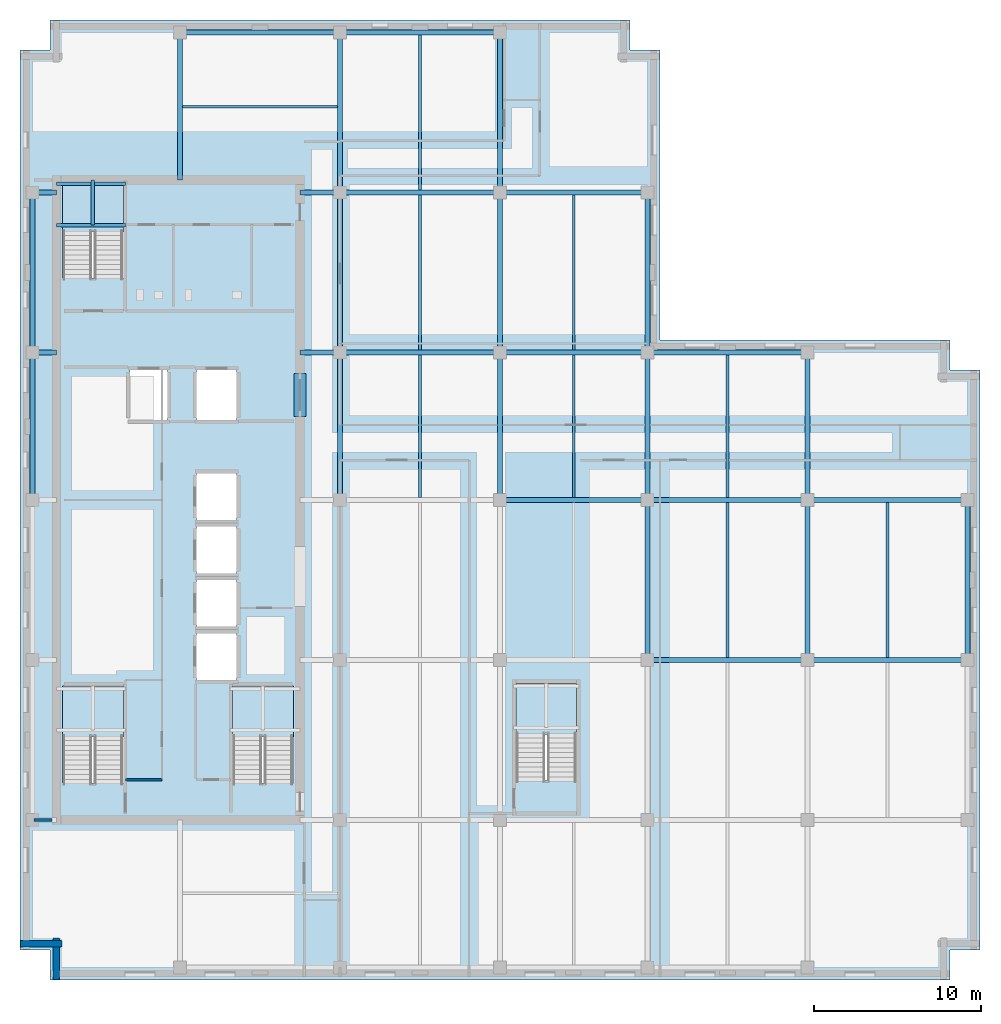
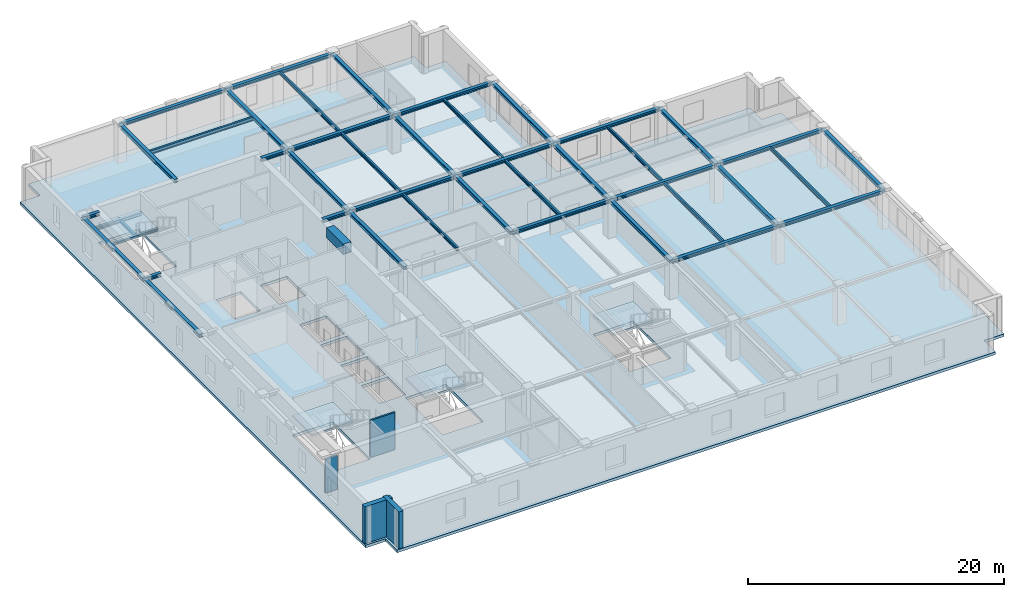
# One storey, part 2 of 12: 44 beams, 5 slabs, 4 walls, 4 elements without a shape of their own.
"""IFC4 building model written with IfcOpenShell, lengths in metres."""

from ifc_helpers import new_model, si_unit, direction, frame, frame_2d, origin, origin_2d, place, context, subcontext, project, spatial, polyline, rectangle, i_section, outline, extrude, material, layer, layer_set, material_profile, profile_set, type_object, element, aggregate, save


model = new_model("IFC4")

# Units and contexts
model_context = context("Model", 3, precision=1e-05, world=origin(), true_north=direction((0.0, 1.0)))
body_context = subcontext(model_context, "Body", "Model", "MODEL_VIEW")
ifc_project = project(units=[si_unit("LENGTHUNIT", "METRE"), si_unit("AREAUNIT", "SQUARE_METRE"), si_unit("VOLUMEUNIT", "CUBIC_METRE"), si_unit("PLANEANGLEUNIT", "RADIAN"), si_unit("MASSUNIT", "GRAM", prefix="KILO")], contexts=[model_context])

# Site, building, storey
site_placement = place(None, origin())
site = spatial("IfcSite", under=ifc_project, at=site_placement, CompositionType="ELEMENT")
building_placement = place(site_placement, origin())
building = spatial("IfcBuilding", under=site, at=building_placement, Name="Norrvale University Quadrangle", CompositionType="ELEMENT")
storey_placement = place(building_placement, frame((0.0, 0.0, 237.0)))
storey = spatial("IfcBuildingStorey", under=building, at=storey_placement, Name="L60", CompositionType="ELEMENT", Elevation=237.0)

# Beams
ifc_material_1 = material(Name="Steel 350W", Category="steel")
ifc_material_profile_1 = material_profile(ifc_material_1, i_section(OverallWidth=0.1669921875, OverallDepth=0.31689453125, WebThickness=0.007568359375, FlangeThickness=0.01318359375, FilletRadius=0.010009765625, at=origin_2d()), Name="Steel 350W")
ifc_profile_set_1 = profile_set([ifc_material_profile_1], Name="Steel 350W")
beam_type_1 = type_object("IfcBeamType", Name="Beam Canopy Purlin W310x52", PredefinedType="USERDEFINED", material=ifc_profile_set_1)
beam_1_placement = place(storey_placement, frame((24.0, 28.952392578125, 3.381591796875), z_axis=(0.0, 1.0, 0.0), x_axis=(-1.0, 0.0, 0.0)))
element("IfcBeam", 1, at=beam_1_placement, inside=storey, type_object=beam_type_1, Name="Beam Canopy Purlin W310x52 BM-L60-J064", ObjectType="PURLIN", PredefinedType="USERDEFINED", context=body_context, shape_type="SweptSolid", body=[
    extrude(i_section(OverallWidth=0.1669921875, OverallDepth=0.31689453125, WebThickness=0.007568359375, FlangeThickness=0.01318359375, FilletRadius=0.010009765625, at=origin_2d()), origin(), (0.0, 0.0, 1.0), 8.545166015625),
])
for number, where, z_axis, x_axis, name in (
    (2, (24.0, 37.802490234375, 3.381591796875), (0.0, 1.0, 0.0), (-1.0, 0.0, 0.0), "Beam Canopy Purlin W310x52 BM-L60-J065"),
    (3, (24.0, 47.402587890625, 3.381591796875), (0.0, 1.0, 0.0), (-1.0, 0.0, 0.0), "Beam Canopy Purlin W310x52 BM-L60-J066"),
):
    element("IfcBeam", number, at=place(storey_placement, frame(where, z_axis=z_axis, x_axis=x_axis)), inside=storey, type_object=beam_type_1, Name=name, ObjectType="PURLIN", PredefinedType="USERDEFINED", context=body_context, shape_type="SweptSolid", body=[
        extrude(i_section(OverallWidth=0.1669921875, OverallDepth=0.31689453125, WebThickness=0.007568359375, FlangeThickness=0.01318359375, FilletRadius=0.010009765625, at=origin_2d()), origin(), (0.0, 0.0, 1.0), 9.294921875),
    ])
beam_2_placement = place(storey_placement, frame((33.22509765625, 28.952392578125, 3.381591796875), z_axis=(0.0, 1.0, 0.0), x_axis=(-1.0, 0.0, 0.0)))
element("IfcBeam", 4, at=beam_2_placement, inside=storey, type_object=beam_type_1, Name="Beam Canopy Purlin W310x52 BM-L60-J069", ObjectType="PURLIN", PredefinedType="USERDEFINED", context=body_context, shape_type="SweptSolid", body=[
    extrude(i_section(OverallWidth=0.1669921875, OverallDepth=0.31689453125, WebThickness=0.007568359375, FlangeThickness=0.01318359375, FilletRadius=0.010009765625, at=origin_2d()), origin(), (0.0, 0.0, 1.0), 8.545166015625),
])
for number, where, z_axis, x_axis, name in (
    (5, (33.22509765625, 37.802490234375, 3.381591796875), (0.0, 1.0, 0.0), (-1.0, 0.0, 0.0), "Beam Canopy Purlin W310x52 BM-L60-J070"),
    (6, (42.449951171875, 19.3525390625, 3.381591796875), (0.0, 1.0, 0.0), (-1.0, 0.0, 0.0), "Beam Canopy Purlin W310x52 BM-L60-J073"),
):
    element("IfcBeam", number, at=place(storey_placement, frame(where, z_axis=z_axis, x_axis=x_axis)), inside=storey, type_object=beam_type_1, Name=name, ObjectType="PURLIN", PredefinedType="USERDEFINED", context=body_context, shape_type="SweptSolid", body=[
        extrude(i_section(OverallWidth=0.1669921875, OverallDepth=0.31689453125, WebThickness=0.007568359375, FlangeThickness=0.01318359375, FilletRadius=0.010009765625, at=origin_2d()), origin(), (0.0, 0.0, 1.0), 9.294921875),
    ])
beam_3_placement = place(storey_placement, frame((42.449951171875, 28.952392578125, 3.381591796875), z_axis=(0.0, 1.0, 0.0), x_axis=(-1.0, 0.0, 0.0)))
element("IfcBeam", 7, at=beam_3_placement, inside=storey, type_object=beam_type_1, Name="Beam Canopy Purlin W310x52 BM-L60-J074", ObjectType="PURLIN", PredefinedType="USERDEFINED", context=body_context, shape_type="SweptSolid", body=[
    extrude(i_section(OverallWidth=0.1669921875, OverallDepth=0.31689453125, WebThickness=0.007568359375, FlangeThickness=0.01318359375, FilletRadius=0.010009765625, at=origin_2d()), origin(), (0.0, 0.0, 1.0), 8.545166015625),
])
beam_4_placement = place(storey_placement, frame((52.050048828125, 19.3525390625, 3.381591796875), z_axis=(0.0, 1.0, 0.0), x_axis=(-1.0, 0.0, 0.0)))
element("IfcBeam", 8, at=beam_4_placement, inside=storey, type_object=beam_type_1, Name="Beam Canopy Purlin W310x52 BM-L60-J076", ObjectType="PURLIN", PredefinedType="USERDEFINED", context=body_context, shape_type="SweptSolid", body=[
    extrude(i_section(OverallWidth=0.1669921875, OverallDepth=0.31689453125, WebThickness=0.007568359375, FlangeThickness=0.01318359375, FilletRadius=0.010009765625, at=origin_2d()), origin(), (0.0, 0.0, 1.0), 9.294921875),
])
beam_5_placement = place(storey_placement, frame((9.75244140625, 52.39990234375, 3.381591796875), z_axis=(1.0, 0.0, 0.0), x_axis=(0.0, 1.0, 0.0)))
element("IfcBeam", 9, at=beam_5_placement, inside=storey, type_object=beam_type_1, Name="Beam Canopy Purlin W310x52 BM-L60-JCN080", ObjectType="PURLIN", PredefinedType="USERDEFINED", context=body_context, shape_type="SweptSolid", body=[
    extrude(i_section(OverallWidth=0.1669921875, OverallDepth=0.31689453125, WebThickness=0.007568359375, FlangeThickness=0.01318359375, FilletRadius=0.010009765625, at=origin_2d()), origin(), (0.0, 0.0, 1.0), 9.295166015625),
])
ifc_material_profile_2 = material_profile(ifc_material_1, i_section(OverallWidth=0.304931640625, OverallDepth=0.30810546875, WebThickness=0.010009765625, FlangeThickness=0.015380859375, FilletRadius=0.014892578125, at=origin_2d()), Name="Steel 350W")
ifc_profile_set_2 = profile_set([ifc_material_profile_2], Name="Steel 350W")
beam_type_2 = type_object("IfcBeamType", Name="Beam Canopy W310x97", PredefinedType="BEAM", material=ifc_profile_set_2)
for number, where, z_axis, x_axis, name in (
    (10, (37.64990234375, 19.199951171875, 3.385986328125), (1.0, 0.0, 0.0), (0.0, 1.0, 0.0), "Beam Canopy W310x97 BM-L60-GX011"),
    (11, (47.25, 19.199951171875, 3.385986328125), (1.0, 0.0, 0.0), (0.0, 1.0, 0.0), "Beam Canopy W310x97 BM-L60-GX012"),
):
    element("IfcBeam", number, at=place(storey_placement, frame(where, z_axis=z_axis, x_axis=x_axis)), inside=storey, type_object=beam_type_2, Name=name, PredefinedType="BEAM", context=body_context, shape_type="SweptSolid", body=[
        extrude(i_section(OverallWidth=0.304931640625, OverallDepth=0.30810546875, WebThickness=0.010009765625, FlangeThickness=0.015380859375, FilletRadius=0.014892578125, at=origin_2d()), origin(), (0.0, 0.0, 1.0), 9.60009765625),
    ])
beam_6_placement = place(storey_placement, frame((28.800048828125, 28.800048828125, 3.385986328125), z_axis=(1.0, 0.0, 0.0), x_axis=(0.0, 1.0, 0.0)))
element("IfcBeam", 12, at=beam_6_placement, inside=storey, type_object=beam_type_2, Name="Beam Canopy W310x97 BM-L60-GX014", PredefinedType="BEAM", context=body_context, shape_type="SweptSolid", body=[
    extrude(i_section(OverallWidth=0.304931640625, OverallDepth=0.30810546875, WebThickness=0.010009765625, FlangeThickness=0.015380859375, FilletRadius=0.014892578125, at=origin_2d()), origin(), (0.0, 0.0, 1.0), 8.849853515625),
])
for number, where, z_axis, x_axis, name in (
    (13, (37.64990234375, 28.800048828125, 3.385986328125), (1.0, 0.0, 0.0), (0.0, 1.0, 0.0), "Beam Canopy W310x97 BM-L60-GX015"),
    (14, (47.25, 28.800048828125, 3.385986328125), (1.0, 0.0, 0.0), (0.0, 1.0, 0.0), "Beam Canopy W310x97 BM-L60-GX016"),
    (15, (19.199951171875, 37.64990234375, 3.385986328125), (1.0, 0.0, 0.0), (0.0, 1.0, 0.0), "Beam Canopy W310x97 BM-L60-GX017"),
):
    element("IfcBeam", number, at=place(storey_placement, frame(where, z_axis=z_axis, x_axis=x_axis)), inside=storey, type_object=beam_type_2, Name=name, PredefinedType="BEAM", context=body_context, shape_type="SweptSolid", body=[
        extrude(i_section(OverallWidth=0.304931640625, OverallDepth=0.30810546875, WebThickness=0.010009765625, FlangeThickness=0.015380859375, FilletRadius=0.014892578125, at=origin_2d()), origin(), (0.0, 0.0, 1.0), 9.60009765625),
    ])
beam_7_placement = place(storey_placement, frame((28.800048828125, 37.64990234375, 3.385986328125), z_axis=(1.0, 0.0, 0.0), x_axis=(0.0, 1.0, 0.0)))
element("IfcBeam", 16, at=beam_7_placement, inside=storey, type_object=beam_type_2, Name="Beam Canopy W310x97 BM-L60-GX018", PredefinedType="BEAM", context=body_context, shape_type="SweptSolid", body=[
    extrude(i_section(OverallWidth=0.304931640625, OverallDepth=0.30810546875, WebThickness=0.010009765625, FlangeThickness=0.015380859375, FilletRadius=0.014892578125, at=origin_2d()), origin(), (0.0, 0.0, 1.0), 8.849853515625),
])
for number, where, z_axis, x_axis, name in (
    (17, (37.64990234375, 37.64990234375, 3.385986328125), (1.0, 0.0, 0.0), (0.0, 1.0, 0.0), "Beam Canopy W310x97 BM-L60-GX019"),
    (18, (19.199951171875, 47.25, 3.385986328125), (1.0, 0.0, 0.0), (0.0, 1.0, 0.0), "Beam Canopy W310x97 BM-L60-GX020"),
):
    element("IfcBeam", number, at=place(storey_placement, frame(where, z_axis=z_axis, x_axis=x_axis)), inside=storey, type_object=beam_type_2, Name=name, PredefinedType="BEAM", context=body_context, shape_type="SweptSolid", body=[
        extrude(i_section(OverallWidth=0.304931640625, OverallDepth=0.30810546875, WebThickness=0.010009765625, FlangeThickness=0.015380859375, FilletRadius=0.014892578125, at=origin_2d()), origin(), (0.0, 0.0, 1.0), 9.60009765625),
    ])
beam_8_placement = place(storey_placement, frame((28.800048828125, 47.25, 3.385986328125), z_axis=(1.0, 0.0, 0.0), x_axis=(0.0, 1.0, 0.0)))
element("IfcBeam", 19, at=beam_8_placement, inside=storey, type_object=beam_type_2, Name="Beam Canopy W310x97 BM-L60-GX021", PredefinedType="BEAM", context=body_context, shape_type="SweptSolid", body=[
    extrude(i_section(OverallWidth=0.304931640625, OverallDepth=0.30810546875, WebThickness=0.010009765625, FlangeThickness=0.015380859375, FilletRadius=0.014892578125, at=origin_2d()), origin(), (0.0, 0.0, 1.0), 8.849853515625),
])
beam_9_placement = place(storey_placement, frame((9.60009765625, 56.85009765625, 3.385986328125), z_axis=(1.0, 0.0, 0.0), x_axis=(0.0, 1.0, 0.0)))
element("IfcBeam", 20, at=beam_9_placement, inside=storey, type_object=beam_type_2, Name="Beam Canopy W310x97 BM-L60-GX022", PredefinedType="BEAM", context=body_context, shape_type="SweptSolid", body=[
    extrude(i_section(OverallWidth=0.304931640625, OverallDepth=0.30810546875, WebThickness=0.010009765625, FlangeThickness=0.015380859375, FilletRadius=0.014892578125, at=origin_2d()), origin(), (0.0, 0.0, 1.0), 9.599853515625),
])
beam_10_placement = place(storey_placement, frame((19.199951171875, 56.85009765625, 3.385986328125), z_axis=(1.0, 0.0, 0.0), x_axis=(0.0, 1.0, 0.0)))
element("IfcBeam", 21, at=beam_10_placement, inside=storey, type_object=beam_type_2, Name="Beam Canopy W310x97 BM-L60-GX023", PredefinedType="BEAM", context=body_context, shape_type="SweptSolid", body=[
    extrude(i_section(OverallWidth=0.304931640625, OverallDepth=0.30810546875, WebThickness=0.010009765625, FlangeThickness=0.015380859375, FilletRadius=0.014892578125, at=origin_2d()), origin(), (0.0, 0.0, 1.0), 9.60009765625),
])
beam_11_placement = place(storey_placement, frame((0.75, 28.800048828125, 3.385986328125), z_axis=(0.0, 1.0, 0.0), x_axis=(-1.0, 0.0, 0.0)))
element("IfcBeam", 22, at=beam_11_placement, inside=storey, type_object=beam_type_2, Name="Beam Canopy W310x97 BM-L60-GY026", PredefinedType="BEAM", context=body_context, shape_type="SweptSolid", body=[
    extrude(i_section(OverallWidth=0.304931640625, OverallDepth=0.30810546875, WebThickness=0.010009765625, FlangeThickness=0.015380859375, FilletRadius=0.014892578125, at=origin_2d()), origin(), (0.0, 0.0, 1.0), 8.849853515625),
])
beam_12_placement = place(storey_placement, frame((0.75, 37.64990234375, 3.385986328125), z_axis=(0.0, 1.0, 0.0), x_axis=(-1.0, 0.0, 0.0)))
element("IfcBeam", 23, at=beam_12_placement, inside=storey, type_object=beam_type_2, Name="Beam Canopy W310x97 BM-L60-GY027", PredefinedType="BEAM", context=body_context, shape_type="SweptSolid", body=[
    extrude(i_section(OverallWidth=0.304931640625, OverallDepth=0.30810546875, WebThickness=0.010009765625, FlangeThickness=0.015380859375, FilletRadius=0.014892578125, at=origin_2d()), origin(), (0.0, 0.0, 1.0), 9.60009765625),
])
beam_13_placement = place(storey_placement, frame((19.199951171875, 28.800048828125, 3.385986328125), z_axis=(0.0, 1.0, 0.0), x_axis=(-1.0, 0.0, 0.0)))
element("IfcBeam", 24, at=beam_13_placement, inside=storey, type_object=beam_type_2, Name="Beam Canopy W310x97 BM-L60-GY031", PredefinedType="BEAM", context=body_context, shape_type="SweptSolid", body=[
    extrude(i_section(OverallWidth=0.304931640625, OverallDepth=0.30810546875, WebThickness=0.010009765625, FlangeThickness=0.015380859375, FilletRadius=0.014892578125, at=origin_2d()), origin(), (0.0, 0.0, 1.0), 8.849853515625),
])
for number, where, z_axis, x_axis, name in (
    (25, (19.199951171875, 37.64990234375, 3.385986328125), (0.0, 1.0, 0.0), (-1.0, 0.0, 0.0), "Beam Canopy W310x97 BM-L60-GY032"),
    (26, (19.199951171875, 47.25, 3.385986328125), (0.0, 1.0, 0.0), (-1.0, 0.0, 0.0), "Beam Canopy W310x97 BM-L60-GY033"),
):
    element("IfcBeam", number, at=place(storey_placement, frame(where, z_axis=z_axis, x_axis=x_axis)), inside=storey, type_object=beam_type_2, Name=name, PredefinedType="BEAM", context=body_context, shape_type="SweptSolid", body=[
        extrude(i_section(OverallWidth=0.304931640625, OverallDepth=0.30810546875, WebThickness=0.010009765625, FlangeThickness=0.015380859375, FilletRadius=0.014892578125, at=origin_2d()), origin(), (0.0, 0.0, 1.0), 9.60009765625),
    ])
beam_14_placement = place(storey_placement, frame((28.800048828125, 28.800048828125, 3.385986328125), z_axis=(0.0, 1.0, 0.0), x_axis=(-1.0, 0.0, 0.0)))
element("IfcBeam", 27, at=beam_14_placement, inside=storey, type_object=beam_type_2, Name="Beam Canopy W310x97 BM-L60-GY037", PredefinedType="BEAM", context=body_context, shape_type="SweptSolid", body=[
    extrude(i_section(OverallWidth=0.304931640625, OverallDepth=0.30810546875, WebThickness=0.010009765625, FlangeThickness=0.015380859375, FilletRadius=0.014892578125, at=origin_2d()), origin(), (0.0, 0.0, 1.0), 8.849853515625),
])
for number, where, z_axis, x_axis, name in (
    (28, (28.800048828125, 37.64990234375, 3.385986328125), (0.0, 1.0, 0.0), (-1.0, 0.0, 0.0), "Beam Canopy W310x97 BM-L60-GY038"),
    (29, (28.800048828125, 47.25, 3.385986328125), (0.0, 1.0, 0.0), (-1.0, 0.0, 0.0), "Beam Canopy W310x97 BM-L60-GY039"),
    (30, (37.64990234375, 19.199951171875, 3.385986328125), (0.0, 1.0, 0.0), (-1.0, 0.0, 0.0), "Beam Canopy W310x97 BM-L60-GY042"),
):
    element("IfcBeam", number, at=place(storey_placement, frame(where, z_axis=z_axis, x_axis=x_axis)), inside=storey, type_object=beam_type_2, Name=name, PredefinedType="BEAM", context=body_context, shape_type="SweptSolid", body=[
        extrude(i_section(OverallWidth=0.304931640625, OverallDepth=0.30810546875, WebThickness=0.010009765625, FlangeThickness=0.015380859375, FilletRadius=0.014892578125, at=origin_2d()), origin(), (0.0, 0.0, 1.0), 9.60009765625),
    ])
beam_15_placement = place(storey_placement, frame((37.64990234375, 28.800048828125, 3.385986328125), z_axis=(0.0, 1.0, 0.0), x_axis=(-1.0, 0.0, 0.0)))
element("IfcBeam", 31, at=beam_15_placement, inside=storey, type_object=beam_type_2, Name="Beam Canopy W310x97 BM-L60-GY043", PredefinedType="BEAM", context=body_context, shape_type="SweptSolid", body=[
    extrude(i_section(OverallWidth=0.304931640625, OverallDepth=0.30810546875, WebThickness=0.010009765625, FlangeThickness=0.015380859375, FilletRadius=0.014892578125, at=origin_2d()), origin(), (0.0, 0.0, 1.0), 8.849853515625),
])
for number, where, z_axis, x_axis, name in (
    (32, (37.64990234375, 37.64990234375, 3.385986328125), (0.0, 1.0, 0.0), (-1.0, 0.0, 0.0), "Beam Canopy W310x97 BM-L60-GY044"),
    (33, (47.25, 19.199951171875, 3.385986328125), (0.0, 1.0, 0.0), (-1.0, 0.0, 0.0), "Beam Canopy W310x97 BM-L60-GY047"),
):
    element("IfcBeam", number, at=place(storey_placement, frame(where, z_axis=z_axis, x_axis=x_axis)), inside=storey, type_object=beam_type_2, Name=name, PredefinedType="BEAM", context=body_context, shape_type="SweptSolid", body=[
        extrude(i_section(OverallWidth=0.304931640625, OverallDepth=0.30810546875, WebThickness=0.010009765625, FlangeThickness=0.015380859375, FilletRadius=0.014892578125, at=origin_2d()), origin(), (0.0, 0.0, 1.0), 9.60009765625),
    ])
beam_16_placement = place(storey_placement, frame((47.25, 28.800048828125, 3.385986328125), z_axis=(0.0, 1.0, 0.0), x_axis=(-1.0, 0.0, 0.0)))
element("IfcBeam", 34, at=beam_16_placement, inside=storey, type_object=beam_type_2, Name="Beam Canopy W310x97 BM-L60-GY048", PredefinedType="BEAM", context=body_context, shape_type="SweptSolid", body=[
    extrude(i_section(OverallWidth=0.304931640625, OverallDepth=0.30810546875, WebThickness=0.010009765625, FlangeThickness=0.015380859375, FilletRadius=0.014892578125, at=origin_2d()), origin(), (0.0, 0.0, 1.0), 8.849853515625),
])
beam_17_placement = place(storey_placement, frame((56.85009765625, 19.199951171875, 3.385986328125), z_axis=(0.0, 1.0, 0.0), x_axis=(-1.0, 0.0, 0.0)))
element("IfcBeam", 35, at=beam_17_placement, inside=storey, type_object=beam_type_2, Name="Beam Canopy W310x97 BM-L60-GY050", PredefinedType="BEAM", context=body_context, shape_type="SweptSolid", body=[
    extrude(i_section(OverallWidth=0.304931640625, OverallDepth=0.30810546875, WebThickness=0.010009765625, FlangeThickness=0.015380859375, FilletRadius=0.014892578125, at=origin_2d()), origin(), (0.0, 0.0, 1.0), 9.60009765625),
])
beam_18_placement = place(storey_placement, frame((0.75, 37.64990234375, 3.385986328125), z_axis=(1.0, 0.0, 0.0), x_axis=(0.0, 1.0, 0.0)))
element("IfcBeam", 36, at=beam_18_placement, inside=storey, type_object=beam_type_2, Name="Beam Canopy W310x97 BM-L60-GCW057", PredefinedType="BEAM", context=body_context, shape_type="SweptSolid", body=[
    extrude(i_section(OverallWidth=0.304931640625, OverallDepth=0.30810546875, WebThickness=0.010009765625, FlangeThickness=0.015380859375, FilletRadius=0.014892578125, at=origin_2d()), origin(), (0.0, 0.0, 1.0), 1.449951171875),
])
beam_19_placement = place(storey_placement, frame((16.800048828125, 37.64990234375, 3.385986328125), z_axis=(1.0, 0.0, 0.0), x_axis=(0.0, 1.0, 0.0)))
element("IfcBeam", 37, at=beam_19_placement, inside=storey, type_object=beam_type_2, Name="Beam Canopy W310x97 BM-L60-GCE058", PredefinedType="BEAM", context=body_context, shape_type="SweptSolid", body=[
    extrude(i_section(OverallWidth=0.304931640625, OverallDepth=0.30810546875, WebThickness=0.010009765625, FlangeThickness=0.015380859375, FilletRadius=0.014892578125, at=origin_2d()), origin(), (0.0, 0.0, 1.0), 2.39990234375),
])
beam_20_placement = place(storey_placement, frame((0.75, 47.25, 3.385986328125), z_axis=(1.0, 0.0, 0.0), x_axis=(0.0, 1.0, 0.0)))
element("IfcBeam", 38, at=beam_20_placement, inside=storey, type_object=beam_type_2, Name="Beam Canopy W310x97 BM-L60-GCW059", PredefinedType="BEAM", context=body_context, shape_type="SweptSolid", body=[
    extrude(i_section(OverallWidth=0.304931640625, OverallDepth=0.30810546875, WebThickness=0.010009765625, FlangeThickness=0.015380859375, FilletRadius=0.014892578125, at=origin_2d()), origin(), (0.0, 0.0, 1.0), 1.449951171875),
])
beam_21_placement = place(storey_placement, frame((16.800048828125, 47.25, 3.385986328125), z_axis=(1.0, 0.0, 0.0), x_axis=(0.0, 1.0, 0.0)))
element("IfcBeam", 39, at=beam_21_placement, inside=storey, type_object=beam_type_2, Name="Beam Canopy W310x97 BM-L60-GCE060", PredefinedType="BEAM", context=body_context, shape_type="SweptSolid", body=[
    extrude(i_section(OverallWidth=0.304931640625, OverallDepth=0.30810546875, WebThickness=0.010009765625, FlangeThickness=0.015380859375, FilletRadius=0.014892578125, at=origin_2d()), origin(), (0.0, 0.0, 1.0), 2.39990234375),
])
beam_22_placement = place(storey_placement, frame((9.60009765625, 48.0, 3.385986328125), z_axis=(0.0, 1.0, 0.0), x_axis=(-1.0, 0.0, 0.0)))
element("IfcBeam", 40, at=beam_22_placement, inside=storey, type_object=beam_type_2, Name="Beam Canopy W310x97 BM-L60-GCN079", PredefinedType="BEAM", context=body_context, shape_type="SweptSolid", body=[
    extrude(i_section(OverallWidth=0.304931640625, OverallDepth=0.30810546875, WebThickness=0.010009765625, FlangeThickness=0.015380859375, FilletRadius=0.014892578125, at=origin_2d()), origin(), (0.0, 0.0, 1.0), 8.85009765625),
])
ifc_material_2 = material(Name="Concrete C80/95", Category="concrete")
ifc_material_profile_3 = material_profile(ifc_material_2, rectangle(XDim=0.699951171875, YDim=0.949951171875, at=origin_2d()), Name="Concrete C80/95")
ifc_profile_set_3 = profile_set([ifc_material_profile_3], Name="Concrete C80/95")
beam_type_3 = type_object("IfcBeamType", Name="Beam Core Link 700x950", PredefinedType="LINTEL", material=ifc_profile_set_3)
beam_23_placement = place(storey_placement, frame((16.800048828125, 33.800048828125, 3.06494140625), z_axis=(0.0, 1.0, 0.0), x_axis=(-1.0, 0.0, 0.0)))
element("IfcBeam", 41, at=beam_23_placement, inside=storey, type_object=beam_type_3, Name="Core Coupling Lintel Beam L60-2", PredefinedType="LINTEL", context=body_context, shape_type="SweptSolid", body=[
    extrude(rectangle(XDim=0.699951171875, YDim=0.949951171875, at=origin_2d()), origin(), (0.0, 0.0, 1.0), 2.599853515625),
])
ifc_material_profile_4 = material_profile(ifc_material_1, i_section(OverallWidth=0.201904296875, OverallDepth=0.2470703125, WebThickness=0.00732421875, FlangeThickness=0.010986328125, FilletRadius=0.011962890625, at=origin_2d()), Name="Steel 350W")
ifc_profile_set_4 = profile_set([ifc_material_profile_4], Name="Steel 350W")
beam_type_4 = type_object("IfcBeamType", Name="Beam Stair W250x49", PredefinedType="BEAM", material=ifc_profile_set_4)
for number, where, z_axis, x_axis, name in (
    (42, (2.199951171875, 45.2900390625, 1.576416015625), (1.0, 0.0, 0.0), (0.0, 1.0, 0.0), "Stair Mid-Landing Front Beam ST-02 L60"),
    (43, (2.199951171875, 47.77001953125, 1.576416015625), (1.0, 0.0, 0.0), (0.0, 1.0, 0.0), "Stair Mid-Landing Rear Beam ST-02 L60"),
):
    element("IfcBeam", number, at=place(storey_placement, frame(where, z_axis=z_axis, x_axis=x_axis)), inside=storey, type_object=beam_type_4, Name=name, PredefinedType="BEAM", context=body_context, shape_type="SweptSolid", body=[
        extrude(i_section(OverallWidth=0.201904296875, OverallDepth=0.2470703125, WebThickness=0.00732421875, FlangeThickness=0.010986328125, FilletRadius=0.011962890625, at=origin_2d()), origin(), (0.0, 0.0, 1.0), 4.14013671875),
    ])
ifc_material_profile_5 = material_profile(ifc_material_1, i_section(OverallWidth=0.202880859375, OverallDepth=0.202880859375, WebThickness=0.007080078125, FlangeThickness=0.010986328125, FilletRadius=0.010009765625, at=origin_2d()), Name="Steel 350W")
ifc_profile_set_5 = profile_set([ifc_material_profile_5], Name="Steel 350W")
beam_type_5 = type_object("IfcBeamType", Name="Beam Trim W200x46", PredefinedType="BEAM", material=ifc_profile_set_5)
beam_24_placement = place(storey_placement, frame((4.375, 45.2900390625, 1.598388671875), z_axis=(0.0, 1.0, 0.0), x_axis=(-1.0, 0.0, 0.0)))
element("IfcBeam", 44, at=beam_24_placement, inside=storey, type_object=beam_type_5, Name="Stair Mid-Landing Cross Beam ST-02 L60", PredefinedType="BEAM", context=body_context, shape_type="SweptSolid", body=[
    extrude(i_section(OverallWidth=0.202880859375, OverallDepth=0.202880859375, WebThickness=0.007080078125, FlangeThickness=0.010986328125, FilletRadius=0.010009765625, at=origin_2d()), origin(), (0.0, 0.0, 1.0), 2.7099609375),
])

# Stair, slab
ifc_material_3 = material(Name="Concrete C40/50", Category="concrete")
stair_type = type_object("IfcStairType", Name="Stair Tower Typ 3800", PredefinedType="TWO_STRAIGHT_RUN_STAIR", material=ifc_material_3)
stair_1_placement = place(storey_placement, origin())
stair_1 = element("IfcStair", 45, at=stair_1_placement, inside=storey, type_object=stair_type, Name="Exit Stair ST-01 L60", PredefinedType="TWO_STRAIGHT_RUN_STAIR")
ifc_layer_1 = layer(ifc_material_3, 0.199951171875, Name="Concrete C40/50")
ifc_layer_set_1 = layer_set([ifc_layer_1], Name="Concrete C40/50")
slab_type_1 = type_object("IfcSlabType", Name="Slab Landing 200", PredefinedType="LANDING", material=ifc_layer_set_1)
slab_1_placement = place(storey_placement, frame((0.0, 0.0, 1.699951171875)))
slab_1 = element("IfcSlab", 46, at=slab_1_placement, type_object=slab_type_1, Name="Exit Stair ST-01 L60 Mid Landing", PredefinedType="LANDING", context=body_context, shape_type="SweptSolid", body=[
    extrude(outline(polyline([(2.550048828125, 14.590087890625), (6.199951171875, 14.590087890625), (6.199951171875, 17.64990234375), (2.550048828125, 17.64990234375), (2.550048828125, 14.590087890625)])), origin(), (0.0, 0.0, 1.0), 0.199951171875),
])
aggregate(stair_1, [slab_1])

stair_2_placement = place(storey_placement, origin())
stair_2 = element("IfcStair", 47, at=stair_2_placement, inside=storey, type_object=stair_type, Name="Exit Stair ST-02 L60", PredefinedType="TWO_STRAIGHT_RUN_STAIR")
slab_2_placement = place(storey_placement, frame((0.0, 0.0, 1.699951171875)))
slab_2 = element("IfcSlab", 48, at=slab_2_placement, type_object=slab_type_1, Name="Exit Stair ST-02 L60 Mid Landing", PredefinedType="LANDING", context=body_context, shape_type="SweptSolid", body=[
    extrude(outline(polyline([(2.550048828125, 44.889892578125), (6.199951171875, 44.889892578125), (6.199951171875, 47.949951171875), (2.550048828125, 47.949951171875), (2.550048828125, 44.889892578125)])), origin(), (0.0, 0.0, 1.0), 0.199951171875),
])
aggregate(stair_2, [slab_2])

stair_3_placement = place(storey_placement, origin())
stair_3 = element("IfcStair", 49, at=stair_3_placement, inside=storey, type_object=stair_type, Name="Exit Stair ST-03 L60", PredefinedType="TWO_STRAIGHT_RUN_STAIR")
slab_3_placement = place(storey_placement, frame((0.0, 0.0, 1.699951171875)))
slab_3 = element("IfcSlab", 50, at=slab_3_placement, type_object=slab_type_1, Name="Exit Stair ST-03 L60 Mid Landing", PredefinedType="LANDING", context=body_context, shape_type="SweptSolid", body=[
    extrude(outline(polyline([(12.75, 14.590087890625), (16.39990234375, 14.590087890625), (16.39990234375, 17.64990234375), (12.75, 17.64990234375), (12.75, 14.590087890625)])), origin(), (0.0, 0.0, 1.0), 0.199951171875),
])
aggregate(stair_3, [slab_3])

stair_4_placement = place(storey_placement, origin())
stair_4 = element("IfcStair", 51, at=stair_4_placement, inside=storey, type_object=stair_type, Name="Exit Stair ST-04 L60", PredefinedType="TWO_STRAIGHT_RUN_STAIR")
slab_4_placement = place(storey_placement, frame((0.0, 0.0, 1.699951171875)))
slab_4 = element("IfcSlab", 52, at=slab_4_placement, type_object=slab_type_1, Name="Exit Stair ST-04 L60 Mid Landing", PredefinedType="LANDING", context=body_context, shape_type="SweptSolid", body=[
    extrude(outline(polyline([(29.75, 14.739990234375), (33.39990234375, 14.739990234375), (33.39990234375, 17.800048828125), (29.75, 17.800048828125), (29.75, 14.739990234375)])), origin(), (0.0, 0.0, 1.0), 0.199951171875),
])
aggregate(stair_4, [slab_4])

# Slab
ifc_layer_2 = layer(ifc_material_3, 0.260009765625, Name="Concrete C40/50")
ifc_layer_set_2 = layer_set([ifc_layer_2], Name="Concrete C40/50")
slab_type_2 = type_object("IfcSlabType", Name="Slab Tower Typ 260", PredefinedType="FLOOR", material=ifc_layer_set_2)
slab_5_placement = place(storey_placement, frame((0.0, 0.0, -0.260009765625)))
element("IfcSlab", 53, at=slab_5_placement, inside=storey, type_object=slab_type_2, Name="Tower L60 Floor Slab", PredefinedType="FLOOR", context=body_context, shape_type="SweptSolid", body=[
    extrude(outline(polyline([(1.800048828125, 0.0), (55.800048828125, 0.0), (55.800048828125, 1.800048828125), (57.60009765625, 1.800048828125), (57.60009765625, 36.60009765625), (55.800048828125, 36.60009765625), (55.800048828125, 38.39990234375), (38.39990234375, 38.39990234375), (38.39990234375, 55.800048828125), (36.60009765625, 55.800048828125), (36.60009765625, 57.60009765625), (1.800048828125, 57.60009765625), (1.800048828125, 55.800048828125), (0.0, 55.800048828125), (0.0, 1.800048828125), (1.800048828125, 1.800048828125), (1.800048828125, 0.0)]), holes=[polyline([(2.550048828125, 11.81005859375), (6.199951171875, 11.81005859375), (6.199951171875, 17.64990234375), (2.550048828125, 17.64990234375), (2.550048828125, 11.81005859375)]), polyline([(2.550048828125, 42.110107421875), (6.199951171875, 42.110107421875), (6.199951171875, 47.949951171875), (2.550048828125, 47.949951171875), (2.550048828125, 42.110107421875)]), polyline([(12.75, 11.81005859375), (16.39990234375, 11.81005859375), (16.39990234375, 17.64990234375), (12.75, 17.64990234375), (12.75, 11.81005859375)]), polyline([(29.75, 11.9599609375), (33.39990234375, 11.9599609375), (33.39990234375, 17.800048828125), (29.75, 17.800048828125), (29.75, 11.9599609375)]), polyline([(10.60009765625, 18.0), (13.0, 18.0), (13.0, 20.800048828125), (10.60009765625, 20.800048828125), (10.60009765625, 18.0)]), polyline([(10.60009765625, 21.199951171875), (13.0, 21.199951171875), (13.0, 24.0), (10.60009765625, 24.0), (10.60009765625, 21.199951171875)]), polyline([(10.60009765625, 24.39990234375), (13.0, 24.39990234375), (13.0, 27.199951171875), (10.60009765625, 27.199951171875), (10.60009765625, 24.39990234375)]), polyline([(10.60009765625, 27.60009765625), (13.0, 27.60009765625), (13.0, 30.39990234375), (10.60009765625, 30.39990234375), (10.60009765625, 27.60009765625)]), polyline([(6.60009765625, 33.60009765625), (8.85009765625, 33.60009765625), (8.85009765625, 36.60009765625), (6.60009765625, 36.60009765625), (6.60009765625, 33.60009765625)]), polyline([(10.60009765625, 33.60009765625), (13.0, 33.60009765625), (13.0, 36.60009765625), (10.60009765625, 36.60009765625), (10.60009765625, 33.60009765625)])]), origin(), (0.0, 0.0, 1.0), 0.260009765625),
])

# Walls
ifc_material_4 = material(Name="Fire-Rated Gypsum Stud Partition")
ifc_layer_3 = layer(ifc_material_4, 0.14990234375, Name="Fire-Rated Gypsum Stud Partition")
ifc_layer_set_3 = layer_set([ifc_layer_3], Name="Fire-Rated Gypsum Stud Partition")
wall_type_1 = type_object("IfcWallType", Name="Wall Gypsum Corridor 150", PredefinedType="PARTITIONING", material=ifc_layer_set_3)
wall_1_placement = place(storey_placement, frame((6.320068359375, 12.02001953125, 0.0), z_axis=(0.0, 0.0, 1.0), x_axis=(1.0, 0.0, 0.0)))
element("IfcWall", 54, at=wall_1_placement, inside=storey, type_object=wall_type_1, Name="Interior Partition WL-L60-REC-S", PredefinedType="PARTITIONING", context=body_context, shape_type="SweptSolid", body=[
    extrude(rectangle(XDim=2.199951171875, YDim=0.14990234375, at=frame_2d((1.10009765625, 0.0))), origin(), (0.0, 0.0, 1.0), 3.5400390625),
])
ifc_material_5 = material(Name="Concrete Blockwork 20 MPa Rated Wall", Category="masonry")
ifc_layer_4 = layer(ifc_material_5, 0.199951171875, Name="Concrete Blockwork 20 MPa Rated Wall")
ifc_layer_set_4 = layer_set([ifc_layer_4], Name="Concrete Blockwork 20 MPa Rated Wall")
wall_type_2 = type_object("IfcWallType", Name="Wall Lobby 200", PredefinedType="SOLIDWALL", material=ifc_layer_set_4)
wall_2_placement = place(storey_placement, frame((0.85009765625, 9.60009765625, 0.0), z_axis=(0.0, 0.0, 1.0), x_axis=(1.0, 0.0, 0.0)))
element("IfcWall", 55, at=wall_2_placement, inside=storey, type_object=wall_type_2, Name="Interior Partition WL-L60-CWRET-S", PredefinedType="SOLIDWALL", context=body_context, shape_type="SweptSolid", body=[
    extrude(rectangle(XDim=1.06982421875, YDim=0.199951171875, at=frame_2d((0.534912109375, 0.0))), origin(), (0.0, 0.0, 1.0), 3.23193359375),
])
ifc_material_6 = material(Name="Red Manganese Brick Masonry", Category="masonry")
ifc_layer_5 = layer(ifc_material_6, 0.39990234375, Name="Red Manganese Brick Masonry")
ifc_layer_set_5 = layer_set([ifc_layer_5], Name="Red Manganese Brick Masonry")
wall_type_3 = type_object("IfcWallType", Name="Wall Red Brick 400", PredefinedType="SOLIDWALL", material=ifc_layer_set_5)
for number, where, z_axis, x_axis, name in (
    (56, (0.0400390625, 2.179931640625, 0.0), (0.0, 0.0, 1.0), (1.0, 0.0, 0.0), "Exterior Brick Facade Wall L60-15.1"),
    (57, (2.179931640625, 2.52001953125, 0.0), (0.0, 0.0, 1.0), (0.0, -1.0, 0.0), "Exterior Brick Facade Wall L60-16.1"),
):
    element("IfcWall", number, at=place(storey_placement, frame(where, z_axis=z_axis, x_axis=x_axis)), inside=storey, type_object=wall_type_3, Name=name, PredefinedType="SOLIDWALL", context=body_context, shape_type="SweptSolid", body=[
        extrude(rectangle(XDim=2.47998046875, YDim=0.39990234375, at=frame_2d((1.239990234375, 0.0))), origin(), (0.0, 0.0, 1.0), 3.5400390625),
    ])

save(model, "model.ifc")
